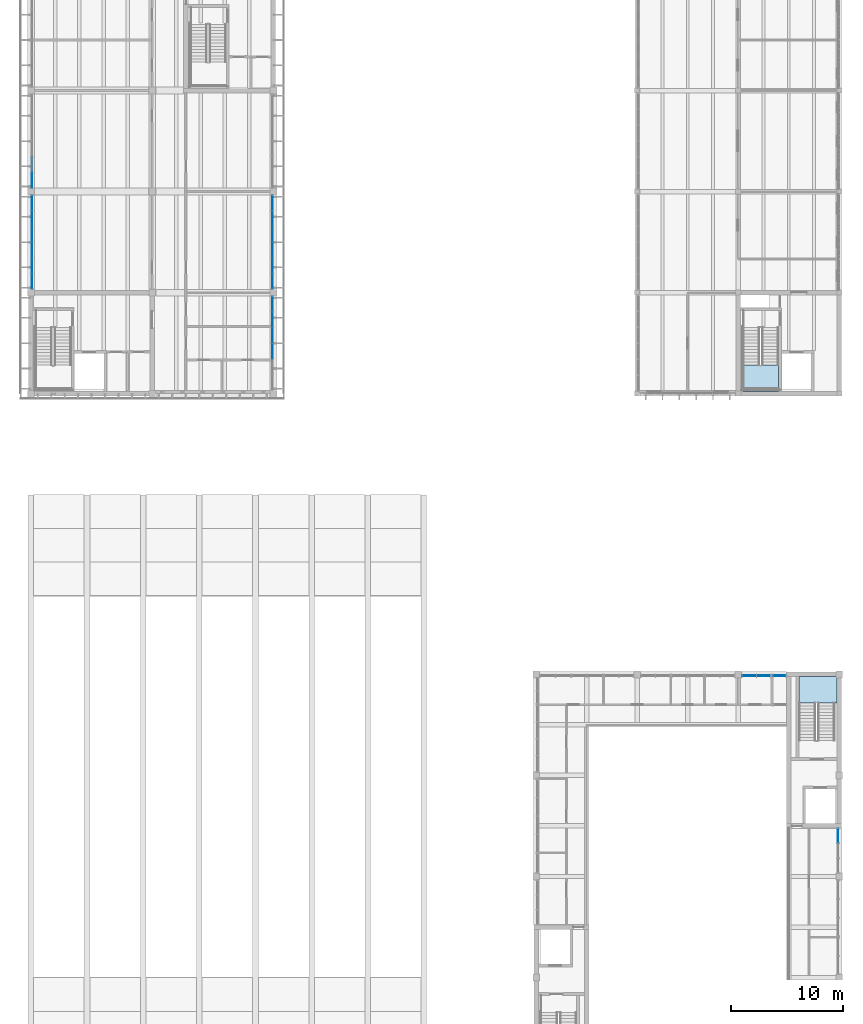
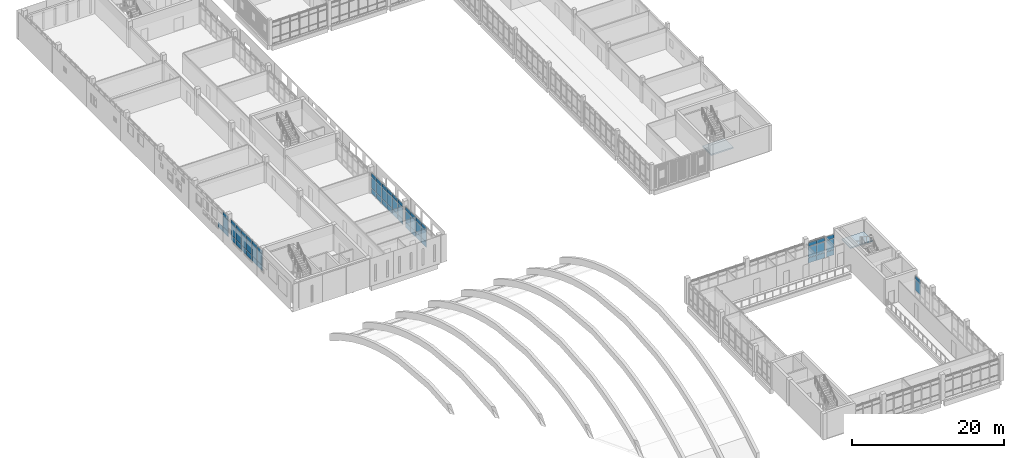
# One storey, part 40 of 88: 63 plates, 2 slabs, 9 elements without a shape of their own.
"""IFC4 building model written with IfcOpenShell, lengths in metres."""

import ifcopenshell
import ifcopenshell.guid

model = None  # the IFC model being written
_history = None  # IfcOwnerHistory: only IFC2X3 demands one
_inside = {}  # id of a spatial element -> (the spatial element, [elements in it])
_under = {}  # id of a project, library or spatial element -> (it, [spatial elements below it])
_declared = {}  # id of a project -> (the project, [libraries it declares])
_typed = {}  # id of a type object -> (the type object, [elements of that type])
_made_of = {}  # id of a material, layer set ... -> (it, [elements and type objects made of it])


def new_model(schema):
    """Start an empty IFC model of exactly this schema.

    Asked for "IFC4X3", IfcOpenShell would pick the latest addendum, in which some entities
    have other attributes; the version numbers below select the first issue.
    IFC2X3 requires an IfcOwnerHistory on every rooted entity: one is made here for all.
    """
    global model, _history
    if schema == "IFC4X3":
        model = ifcopenshell.file(schema_version=(4, 3, 0, 0))
    else:
        model = ifcopenshell.file(schema=schema)
    _inside.clear()
    _under.clear()
    _declared.clear()
    _typed.clear()
    _made_of.clear()
    _history = None
    if model.schema == "IFC2X3":
        org = make("IfcOrganization", Name="unknown")
        user = make(
            "IfcPersonAndOrganization",
            ThePerson=make("IfcPerson", FamilyName="unknown"),
            TheOrganization=org,
        )
        app = make(
            "IfcApplication",
            ApplicationDeveloper=org,
            Version="unknown",
            ApplicationFullName="unknown",
            ApplicationIdentifier="unknown",
        )
        _history = make(
            "IfcOwnerHistory",
            OwningUser=user,
            OwningApplication=app,
            ChangeAction="ADDED",
            CreationDate=0,
        )
    return model


def make(cls, **values):
    """One entity of the class cls with the attributes given. An attribute that is None is left unset."""
    return model.create_entity(
        cls, **{name: value for name, value in values.items() if value is not None}
    )


def rooted(cls, **values):
    """An entity with a GlobalId (a new one), such as an element, a storey or a relation."""
    return make(cls, GlobalId=ifcopenshell.guid.new(), OwnerHistory=_history, **values)


def si_unit(unit_type, name, prefix=None):
    """IfcSIUnit, for example si_unit("LENGTHUNIT", "METRE", prefix="MILLI")."""
    return make("IfcSIUnit", UnitType=unit_type, Prefix=prefix, Name=name)


def assignment(units):
    """IfcUnitAssignment: the units of a project."""
    return None if units is None else make("IfcUnitAssignment", Units=units)


def point(xyz):
    """IfcCartesianPoint."""
    return None if xyz is None else make("IfcCartesianPoint", Coordinates=xyz)


def direction(xyz):
    """IfcDirection."""
    return None if xyz is None else make("IfcDirection", DirectionRatios=xyz)


def frame(location, z_axis=None, x_axis=None):
    """IfcAxis2Placement3D, a coordinate frame: its origin and axes. An axis left out is left unset."""
    return make(
        "IfcAxis2Placement3D",
        Location=point(location),
        Axis=direction(z_axis),
        RefDirection=direction(x_axis),
    )


def frame_2d(location, x_axis=None):
    """IfcAxis2Placement2D, a coordinate frame in the plane: its origin and x axis."""
    return make(
        "IfcAxis2Placement2D", Location=point(location), RefDirection=direction(x_axis)
    )


def origin():
    """The frame at (0, 0, 0) with its axes left unset."""
    return frame((0.0, 0.0, 0.0))


def origin_2d():
    """The frame at (0, 0) in the plane with its x axis left unset."""
    return frame_2d((0.0, 0.0))


def place(relative_to, where):
    """IfcLocalPlacement: puts the frame where relative to a parent placement (None: the world)."""
    return make(
        "IfcLocalPlacement", PlacementRelTo=relative_to, RelativePlacement=where
    )


def context(
    kind, dimensions, precision=None, world=None, true_north=None, identifier=None
):
    """IfcGeometricRepresentationContext, for example the 3D "Model" context."""
    return make(
        "IfcGeometricRepresentationContext",
        ContextIdentifier=identifier,
        ContextType=kind,
        CoordinateSpaceDimension=dimensions,
        Precision=precision,
        WorldCoordinateSystem=world,
        TrueNorth=true_north,
    )


def subcontext(parent, identifier, kind, view, scale=None):
    """IfcGeometricRepresentationSubContext, for example "Body" below "Model"."""
    return make(
        "IfcGeometricRepresentationSubContext",
        ContextIdentifier=identifier,
        ContextType=kind,
        ParentContext=parent,
        TargetScale=scale,
        TargetView=view,
    )


def project(units=None, contexts=None):
    """IfcProject with its units and contexts."""
    return rooted(
        "IfcProject",
        Name="project",
        RepresentationContexts=contexts,
        UnitsInContext=assignment(units),
    )


def spatial(cls, under=None, at=None, **own):
    """A site, building, storey or space (cls), placed at a placement, below another one or the project."""
    s = rooted(cls, ObjectPlacement=at, **own)
    if under is not None:
        _under.setdefault(under.id(), (under, []))[1].append(s)
    return s


def polyline(points):
    """IfcPolyline through the points."""
    return make("IfcPolyline", Points=[point(p) for p in points])


def profile(cls, at=None, kind="AREA", **sizes):
    """A parametric profile (cls). Its sizes go by their IFC names, for example OverallWidth=200.0."""
    return make(cls, ProfileType=kind, Position=at, **sizes)


def rectangle(**sizes):
    """IfcRectangleProfileDef."""
    return profile("IfcRectangleProfileDef", **sizes)


def outline(outer, holes=None, kind="AREA"):
    """IfcArbitraryClosedProfileDef: a profile drawn as a closed curve; with holes, ...WithVoids."""
    if holes is None:
        return make("IfcArbitraryClosedProfileDef", ProfileType=kind, OuterCurve=outer)
    return make(
        "IfcArbitraryProfileDefWithVoids",
        ProfileType=kind,
        OuterCurve=outer,
        InnerCurves=holes,
    )


def extrude(swept, where, along, depth):
    """IfcExtrudedAreaSolid: the profile swept, set in the frame where, extruded along a direction by depth."""
    return make(
        "IfcExtrudedAreaSolid",
        SweptArea=swept,
        Position=where,
        ExtrudedDirection=direction(along),
        Depth=depth,
    )


def shape(context_of_items, identifier, shape_type, items):
    """IfcShapeRepresentation: the items that make up one representation, for example the "Body"."""
    return make(
        "IfcShapeRepresentation",
        ContextOfItems=context_of_items,
        RepresentationIdentifier=identifier,
        RepresentationType=shape_type,
        Items=items,
    )


def material(Name=None, Category=None):
    """IfcMaterial."""
    return make("IfcMaterial", Name=Name, Category=Category)


def layer(
    of_material, thickness, ventilated=None, Name=None, Category=None, Priority=None
):
    """IfcMaterialLayer: one layer of a wall or slab, of a material (None: an air gap)."""
    return make(
        "IfcMaterialLayer",
        Material=of_material,
        LayerThickness=thickness,
        IsVentilated=ventilated,
        Name=Name,
        Category=Category,
        Priority=Priority,
    )


def layer_set(layers, Name=None):
    """IfcMaterialLayerSet."""
    return make("IfcMaterialLayerSet", MaterialLayers=layers, LayerSetName=Name)


def made_of(thing, what):
    """Note that an element or type object is made of a material, layer set ...; save() writes the relation."""
    if what is not None:
        _made_of.setdefault(what.id(), (what, []))[1].append(thing)
    return thing


def type_object(cls, material=None, **own):
    """A type object (cls), such as IfcWallType, which elements share."""
    return made_of(rooted(cls, **own), material)


def element(
    cls,
    number,
    at=None,
    inside=None,
    cuts=None,
    type_object=None,
    material=None,
    context=None,
    identifier="Body",
    shape_type=None,
    held_by="IfcProductDefinitionShape",
    body=None,
    shapes=None,
    **own,
):
    """One element of the class cls, such as IfcWall. Its Tag is "e" and its number.

    at: its placement. inside: the storey or other place that contains it. cuts: it is an
    opening in that element (IfcRelVoidsElement). A single representation is given by context,
    identifier, shape_type and body (its items); several are given by shapes. held_by: the class
    of the entity that holds the representations. save() writes the other relations.
    """
    e = rooted(cls, Tag="e%d" % number, ObjectPlacement=at, **own)
    if body is not None:
        shapes = [shape(context, identifier, shape_type, body)]
    if shapes is not None:
        e.Representation = make(held_by, Representations=shapes)
    if inside is not None:
        _inside.setdefault(inside.id(), (inside, []))[1].append(e)
    if cuts is not None:
        rooted(
            "IfcRelVoidsElement", RelatingBuildingElement=cuts, RelatedOpeningElement=e
        )
    if type_object is not None:
        _typed.setdefault(type_object.id(), (type_object, []))[1].append(e)
    return made_of(e, material)


def aggregate(whole, parts):
    """IfcRelAggregates: a whole, such as a stair, and the parts it consists of."""
    return rooted("IfcRelAggregates", RelatingObject=whole, RelatedObjects=parts)


def save(model, path):
    """Write the relations noted so far, then the file.

    IfcRelAggregates (storeys below a building ...), IfcRelContainedInSpatialStructure (elements
    in a storey), IfcRelDefinesByType, IfcRelAssociatesMaterial and IfcRelDeclares: one each for
    every whole, place, type object, material and project.
    """
    for whole, parts in _under.values():
        aggregate(whole, parts)
    for where, things in _inside.values():
        rooted(
            "IfcRelContainedInSpatialStructure",
            RelatedElements=things,
            RelatingStructure=where,
        )
    for kind, things in _typed.values():
        rooted("IfcRelDefinesByType", RelatedObjects=things, RelatingType=kind)
    for what, things in _made_of.values():
        rooted("IfcRelAssociatesMaterial", RelatedObjects=things, RelatingMaterial=what)
    for by, libraries in _declared.values():
        rooted("IfcRelDeclares", RelatingContext=by, RelatedDefinitions=libraries)
    model.write(path)


model = new_model("IFC4")

# Units and contexts
model_context = context("Model", 3, precision=1e-05, world=origin(), true_north=direction((0.0, 1.0)))
body_context = subcontext(model_context, "Body", "Model", "MODEL_VIEW")
ifc_project = project(units=[si_unit("LENGTHUNIT", "METRE"), si_unit("AREAUNIT", "SQUARE_METRE"), si_unit("VOLUMEUNIT", "CUBIC_METRE"), si_unit("PLANEANGLEUNIT", "RADIAN"), si_unit("MASSUNIT", "GRAM", prefix="KILO")], contexts=[model_context])

# Site, building, storey
site_placement = place(None, origin())
site = spatial("IfcSite", under=ifc_project, at=site_placement, CompositionType="ELEMENT")
building_placement = place(site_placement, origin())
building = spatial("IfcBuilding", under=site, at=building_placement, Name="Merrow Basin Faculty of Sciences", CompositionType="ELEMENT")
storey_placement = place(building_placement, frame((0.0, 0.0, 9.0)))
storey = spatial("IfcBuildingStorey", under=building, at=storey_placement, Name="L02", CompositionType="ELEMENT", Elevation=9.0)

# Curtain wall, plates
ifc_material_1 = material(Name="Aluminium alloy 6063", Category="aluminium")
curtain_wall_type_1 = type_object("IfcCurtainWallType", Name="Atrium unitised curtain wall 240", PredefinedType="NOTDEFINED", material=ifc_material_1)
curtain_wall_1_placement = place(storey_placement, origin())
curtain_wall_1 = element("IfcCurtainWall", 1, at=curtain_wall_1_placement, inside=storey, type_object=curtain_wall_type_1, Name="N curtain wall L02 6", PredefinedType="NOTDEFINED")
ifc_material_2 = material(Name="Low-E double glazing", Category="glass")
ifc_layer_1 = layer(ifc_material_2, 0.031982421875)
ifc_layer_set_1 = layer_set([ifc_layer_1], Name="Acoustic double glazed panel 32")
plate_type_1 = type_object("IfcPlateType", Name="Acoustic double glazed panel 32", PredefinedType="CURTAIN_PANEL", material=ifc_layer_set_1)
plate_1_placement = place(storey_placement, frame((63.97119140625, 35.8798828125, 0.93017578125), z_axis=(0.0, 0.0, 1.0), x_axis=(1.0, 0.0, 0.0)))
plate_1 = element("IfcPlate", 2, at=plate_1_placement, type_object=plate_type_1, Name="CW5 panel 1.2", PredefinedType="CURTAIN_PANEL", context=body_context, shape_type="SweptSolid", body=[
    extrude(rectangle(XDim=1.222412109375, YDim=0.031982421875, at=origin_2d()), origin(), (0.0, 0.0, 1.0), 1.739990234375),
])
plate_2_placement = place(storey_placement, frame((63.97119140625, 35.8798828125, 2.72998046875), z_axis=(0.0, 0.0, 1.0), x_axis=(1.0, 0.0, 0.0)))
plate_2 = element("IfcPlate", 3, at=plate_2_placement, type_object=plate_type_1, Name="CW5 panel 1.3", PredefinedType="CURTAIN_PANEL", context=body_context, shape_type="SweptSolid", body=[
    extrude(rectangle(XDim=1.222412109375, YDim=0.031982421875, at=origin_2d()), origin(), (0.0, 0.0, 1.0), 0.610107421875),
])
plate_3_placement = place(storey_placement, frame((65.253662109375, 35.8798828125, 0.93017578125), z_axis=(0.0, 0.0, 1.0), x_axis=(1.0, 0.0, 0.0)))
plate_3 = element("IfcPlate", 4, at=plate_3_placement, type_object=plate_type_1, Name="CW5 panel 2.2", PredefinedType="CURTAIN_PANEL", context=body_context, shape_type="SweptSolid", body=[
    extrude(rectangle(XDim=1.222412109375, YDim=0.031982421875, at=origin_2d()), origin(), (0.0, 0.0, 1.0), 1.739990234375),
])
plate_4_placement = place(storey_placement, frame((65.253662109375, 35.8798828125, 2.72998046875), z_axis=(0.0, 0.0, 1.0), x_axis=(1.0, 0.0, 0.0)))
plate_4 = element("IfcPlate", 5, at=plate_4_placement, type_object=plate_type_1, Name="CW5 panel 2.3", PredefinedType="CURTAIN_PANEL", context=body_context, shape_type="SweptSolid", body=[
    extrude(rectangle(XDim=1.222412109375, YDim=0.031982421875, at=origin_2d()), origin(), (0.0, 0.0, 1.0), 0.610107421875),
])

curtain_wall_2_placement = place(storey_placement, origin())
curtain_wall_2 = element("IfcCurtainWall", 6, at=curtain_wall_2_placement, inside=storey, type_object=curtain_wall_type_1, Name="N curtain wall L02 7", PredefinedType="NOTDEFINED")
plate_5_placement = place(storey_placement, frame((66.6875, 35.8798828125, 0.93017578125), z_axis=(0.0, 0.0, 1.0), x_axis=(1.0, 0.0, 0.0)))
plate_5 = element("IfcPlate", 7, at=plate_5_placement, type_object=plate_type_1, Name="CW5 panel 1.2", PredefinedType="CURTAIN_PANEL", context=body_context, shape_type="SweptSolid", body=[
    extrude(rectangle(XDim=1.10498046875, YDim=0.031982421875, at=origin_2d()), origin(), (0.0, 0.0, 1.0), 1.739990234375),
])
plate_6_placement = place(storey_placement, frame((66.6875, 35.8798828125, 2.72998046875), z_axis=(0.0, 0.0, 1.0), x_axis=(1.0, 0.0, 0.0)))
plate_6 = element("IfcPlate", 8, at=plate_6_placement, type_object=plate_type_1, Name="CW5 panel 1.3", PredefinedType="CURTAIN_PANEL", context=body_context, shape_type="SweptSolid", body=[
    extrude(rectangle(XDim=1.10498046875, YDim=0.031982421875, at=origin_2d()), origin(), (0.0, 0.0, 1.0), 0.610107421875),
])

curtain_wall_3_placement = place(storey_placement, origin())
curtain_wall_3 = element("IfcCurtainWall", 9, at=curtain_wall_3_placement, inside=storey, type_object=curtain_wall_type_1, Name="E curtain wall L02 5", PredefinedType="NOTDEFINED")
plate_7_placement = place(storey_placement, frame((71.8798828125, 21.618408203125, 0.93017578125), z_axis=(0.0, 0.0, 1.0), x_axis=(0.0, 1.0, 0.0)))
plate_7 = element("IfcPlate", 10, at=plate_7_placement, type_object=plate_type_1, Name="CW5 panel 3.2", PredefinedType="CURTAIN_PANEL", context=body_context, shape_type="SweptSolid", body=[
    extrude(rectangle(XDim=1.243408203125, YDim=0.031982421875, at=origin_2d()), origin(), (0.0, 0.0, 1.0), 1.739990234375),
])
plate_8_placement = place(storey_placement, frame((71.8798828125, 21.618408203125, 2.72998046875), z_axis=(0.0, 0.0, 1.0), x_axis=(0.0, 1.0, 0.0)))
plate_8 = element("IfcPlate", 11, at=plate_8_placement, type_object=plate_type_1, Name="CW5 panel 3.3", PredefinedType="CURTAIN_PANEL", context=body_context, shape_type="SweptSolid", body=[
    extrude(rectangle(XDim=1.243408203125, YDim=0.031982421875, at=origin_2d()), origin(), (0.0, 0.0, 1.0), 0.610107421875),
])
aggregate(curtain_wall_3, [plate_7, plate_8])

ifc_material_3 = material(Name="Aluminium alloy 6063", Category="aluminium")
curtain_wall_type_2 = type_object("IfcCurtainWallType", Name="Bar unitised curtain wall 180", PredefinedType="NOTDEFINED", material=ifc_material_3)
curtain_wall_4_placement = place(storey_placement, origin())
curtain_wall_4 = element("IfcCurtainWall", 12, at=curtain_wall_4_placement, inside=storey, type_object=curtain_wall_type_2, Name="West curtain wall L02 1", PredefinedType="NOTDEFINED")
ifc_material_4 = material(Name="Insulated aluminium spandrel panel", Category="aluminium")
ifc_layer_2 = layer(ifc_material_4, 0.052001953125)
ifc_layer_set_2 = layer_set([ifc_layer_2], Name="Insulated spandrel panel 52")
plate_type_2 = type_object("IfcPlateType", Name="Insulated spandrel panel 52", PredefinedType="CURTAIN_PANEL", material=ifc_layer_set_2)
plate_9_placement = place(storey_placement, frame((0.090087890625, 71.014892578125, 0.06005859375), z_axis=(0.0, 0.0, 1.0), x_axis=(0.0, 1.0, 0.0)))
plate_9 = element("IfcPlate", 13, at=plate_9_placement, type_object=plate_type_2, Name="CW1 panel 1.1", PredefinedType="CURTAIN_PANEL", context=body_context, shape_type="SweptSolid", body=[
    extrude(rectangle(XDim=1.31005859375, YDim=0.052001953125, at=origin_2d()), origin(), (0.0, 0.0, 1.0), 0.81005859375),
])
plate_10_placement = place(storey_placement, frame((0.090087890625, 72.39990234375, 0.06005859375), z_axis=(0.0, 0.0, 1.0), x_axis=(0.0, 1.0, 0.0)))
plate_10 = element("IfcPlate", 14, at=plate_10_placement, type_object=plate_type_2, Name="CW1 panel 2.1", PredefinedType="CURTAIN_PANEL", context=body_context, shape_type="SweptSolid", body=[
    extrude(rectangle(XDim=1.340087890625, YDim=0.052001953125, at=origin_2d()), origin(), (0.0, 0.0, 1.0), 0.81005859375),
])
plate_11_placement = place(storey_placement, frame((0.090087890625, 73.800048828125, 0.06005859375), z_axis=(0.0, 0.0, 1.0), x_axis=(0.0, 1.0, 0.0)))
plate_11 = element("IfcPlate", 15, at=plate_11_placement, type_object=plate_type_2, Name="CW1 panel 3.1", PredefinedType="CURTAIN_PANEL", context=body_context, shape_type="SweptSolid", body=[
    extrude(rectangle(XDim=1.340087890625, YDim=0.052001953125, at=origin_2d()), origin(), (0.0, 0.0, 1.0), 0.81005859375),
])
plate_12_placement = place(storey_placement, frame((0.090087890625, 75.199951171875, 0.06005859375), z_axis=(0.0, 0.0, 1.0), x_axis=(0.0, 1.0, 0.0)))
plate_12 = element("IfcPlate", 16, at=plate_12_placement, type_object=plate_type_2, Name="CW1 panel 4.1", PredefinedType="CURTAIN_PANEL", context=body_context, shape_type="SweptSolid", body=[
    extrude(rectangle(XDim=1.340087890625, YDim=0.052001953125, at=origin_2d()), origin(), (0.0, 0.0, 1.0), 0.81005859375),
])
plate_13_placement = place(storey_placement, frame((0.090087890625, 76.60009765625, 0.06005859375), z_axis=(0.0, 0.0, 1.0), x_axis=(0.0, 1.0, 0.0)))
plate_13 = element("IfcPlate", 17, at=plate_13_placement, type_object=plate_type_2, Name="CW1 panel 5.1", PredefinedType="CURTAIN_PANEL", context=body_context, shape_type="SweptSolid", body=[
    extrude(rectangle(XDim=1.340087890625, YDim=0.052001953125, at=origin_2d()), origin(), (0.0, 0.0, 1.0), 0.81005859375),
])
plate_14_placement = place(storey_placement, frame((0.090087890625, 77.985107421875, 0.06005859375), z_axis=(0.0, 0.0, 1.0), x_axis=(0.0, 1.0, 0.0)))
plate_14 = element("IfcPlate", 18, at=plate_14_placement, type_object=plate_type_2, Name="CW1 panel 6.1", PredefinedType="CURTAIN_PANEL", context=body_context, shape_type="SweptSolid", body=[
    extrude(rectangle(XDim=1.31005859375, YDim=0.052001953125, at=origin_2d()), origin(), (0.0, 0.0, 1.0), 0.81005859375),
])

curtain_wall_5_placement = place(storey_placement, origin())
curtain_wall_5 = element("IfcCurtainWall", 19, at=curtain_wall_5_placement, inside=storey, type_object=curtain_wall_type_2, Name="West curtain wall L02 2", PredefinedType="NOTDEFINED")
plate_15_placement = place(storey_placement, frame((0.090087890625, 80.014892578125, 0.06005859375), z_axis=(0.0, 0.0, 1.0), x_axis=(0.0, 1.0, 0.0)))
plate_15 = element("IfcPlate", 20, at=plate_15_placement, type_object=plate_type_2, Name="CW1 panel 1.1", PredefinedType="CURTAIN_PANEL", context=body_context, shape_type="SweptSolid", body=[
    extrude(rectangle(XDim=1.31005859375, YDim=0.052001953125, at=origin_2d()), origin(), (0.0, 0.0, 1.0), 0.81005859375),
])
plate_16_placement = place(storey_placement, frame((0.090087890625, 81.39990234375, 0.06005859375), z_axis=(0.0, 0.0, 1.0), x_axis=(0.0, 1.0, 0.0)))
plate_16 = element("IfcPlate", 21, at=plate_16_placement, type_object=plate_type_2, Name="CW1 panel 2.1", PredefinedType="CURTAIN_PANEL", context=body_context, shape_type="SweptSolid", body=[
    extrude(rectangle(XDim=1.340087890625, YDim=0.052001953125, at=origin_2d()), origin(), (0.0, 0.0, 1.0), 0.81005859375),
])

curtain_wall_6_placement = place(storey_placement, origin())
curtain_wall_6 = element("IfcCurtainWall", 22, at=curtain_wall_6_placement, inside=storey, type_object=curtain_wall_type_2, Name="East curtain wall L02 1", PredefinedType="NOTDEFINED")
plate_17_placement = place(storey_placement, frame((21.510009765625, 64.800048828125, 0.06005859375), z_axis=(0.0, 0.0, 1.0), x_axis=(0.0, 1.0, 0.0)))
plate_17 = element("IfcPlate", 23, at=plate_17_placement, type_object=plate_type_2, Name="CW1 panel 3.1", PredefinedType="CURTAIN_PANEL", context=body_context, shape_type="SweptSolid", body=[
    extrude(rectangle(XDim=1.340087890625, YDim=0.052001953125, at=origin_2d()), origin(), (0.0, 0.0, 1.0), 0.81005859375),
])
plate_18_placement = place(storey_placement, frame((21.510009765625, 66.199951171875, 0.06005859375), z_axis=(0.0, 0.0, 1.0), x_axis=(0.0, 1.0, 0.0)))
plate_18 = element("IfcPlate", 24, at=plate_18_placement, type_object=plate_type_2, Name="CW1 panel 4.1", PredefinedType="CURTAIN_PANEL", context=body_context, shape_type="SweptSolid", body=[
    extrude(rectangle(XDim=1.340087890625, YDim=0.052001953125, at=origin_2d()), origin(), (0.0, 0.0, 1.0), 0.81005859375),
])
plate_19_placement = place(storey_placement, frame((21.510009765625, 67.60009765625, 0.06005859375), z_axis=(0.0, 0.0, 1.0), x_axis=(0.0, 1.0, 0.0)))
plate_19 = element("IfcPlate", 25, at=plate_19_placement, type_object=plate_type_2, Name="CW1 panel 5.1", PredefinedType="CURTAIN_PANEL", context=body_context, shape_type="SweptSolid", body=[
    extrude(rectangle(XDim=1.340087890625, YDim=0.052001953125, at=origin_2d()), origin(), (0.0, 0.0, 1.0), 0.81005859375),
])
plate_20_placement = place(storey_placement, frame((21.510009765625, 68.985107421875, 0.06005859375), z_axis=(0.0, 0.0, 1.0), x_axis=(0.0, 1.0, 0.0)))
plate_20 = element("IfcPlate", 26, at=plate_20_placement, type_object=plate_type_2, Name="CW1 panel 6.1", PredefinedType="CURTAIN_PANEL", context=body_context, shape_type="SweptSolid", body=[
    extrude(rectangle(XDim=1.31005859375, YDim=0.052001953125, at=origin_2d()), origin(), (0.0, 0.0, 1.0), 0.81005859375),
])

curtain_wall_7_placement = place(storey_placement, origin())
curtain_wall_7 = element("IfcCurtainWall", 27, at=curtain_wall_7_placement, inside=storey, type_object=curtain_wall_type_2, Name="East curtain wall L02 2", PredefinedType="NOTDEFINED")
plate_21_placement = place(storey_placement, frame((21.510009765625, 71.014892578125, 0.06005859375), z_axis=(0.0, 0.0, 1.0), x_axis=(0.0, 1.0, 0.0)))
plate_21 = element("IfcPlate", 28, at=plate_21_placement, type_object=plate_type_2, Name="CW1 panel 1.1", PredefinedType="CURTAIN_PANEL", context=body_context, shape_type="SweptSolid", body=[
    extrude(rectangle(XDim=1.31005859375, YDim=0.052001953125, at=origin_2d()), origin(), (0.0, 0.0, 1.0), 0.81005859375),
])
plate_22_placement = place(storey_placement, frame((21.510009765625, 72.39990234375, 0.06005859375), z_axis=(0.0, 0.0, 1.0), x_axis=(0.0, 1.0, 0.0)))
plate_22 = element("IfcPlate", 29, at=plate_22_placement, type_object=plate_type_2, Name="CW1 panel 2.1", PredefinedType="CURTAIN_PANEL", context=body_context, shape_type="SweptSolid", body=[
    extrude(rectangle(XDim=1.340087890625, YDim=0.052001953125, at=origin_2d()), origin(), (0.0, 0.0, 1.0), 0.81005859375),
])
plate_23_placement = place(storey_placement, frame((21.510009765625, 73.800048828125, 0.06005859375), z_axis=(0.0, 0.0, 1.0), x_axis=(0.0, 1.0, 0.0)))
plate_23 = element("IfcPlate", 30, at=plate_23_placement, type_object=plate_type_2, Name="CW1 panel 3.1", PredefinedType="CURTAIN_PANEL", context=body_context, shape_type="SweptSolid", body=[
    extrude(rectangle(XDim=1.340087890625, YDim=0.052001953125, at=origin_2d()), origin(), (0.0, 0.0, 1.0), 0.81005859375),
])
plate_24_placement = place(storey_placement, frame((21.510009765625, 75.199951171875, 0.06005859375), z_axis=(0.0, 0.0, 1.0), x_axis=(0.0, 1.0, 0.0)))
plate_24 = element("IfcPlate", 31, at=plate_24_placement, type_object=plate_type_2, Name="CW1 panel 4.1", PredefinedType="CURTAIN_PANEL", context=body_context, shape_type="SweptSolid", body=[
    extrude(rectangle(XDim=1.340087890625, YDim=0.052001953125, at=origin_2d()), origin(), (0.0, 0.0, 1.0), 0.81005859375),
])
plate_25_placement = place(storey_placement, frame((21.510009765625, 76.60009765625, 0.06005859375), z_axis=(0.0, 0.0, 1.0), x_axis=(0.0, 1.0, 0.0)))
plate_25 = element("IfcPlate", 32, at=plate_25_placement, type_object=plate_type_2, Name="CW1 panel 5.1", PredefinedType="CURTAIN_PANEL", context=body_context, shape_type="SweptSolid", body=[
    extrude(rectangle(XDim=1.340087890625, YDim=0.052001953125, at=origin_2d()), origin(), (0.0, 0.0, 1.0), 0.81005859375),
])
plate_26_placement = place(storey_placement, frame((21.510009765625, 77.985107421875, 0.06005859375), z_axis=(0.0, 0.0, 1.0), x_axis=(0.0, 1.0, 0.0)))
plate_26 = element("IfcPlate", 33, at=plate_26_placement, type_object=plate_type_2, Name="CW1 panel 6.1", PredefinedType="CURTAIN_PANEL", context=body_context, shape_type="SweptSolid", body=[
    extrude(rectangle(XDim=1.31005859375, YDim=0.052001953125, at=origin_2d()), origin(), (0.0, 0.0, 1.0), 0.81005859375),
])

# Plate
plate_27_placement = place(storey_placement, frame((63.97119140625, 35.8798828125, 0.06005859375), z_axis=(0.0, 0.0, 1.0), x_axis=(1.0, 0.0, 0.0)))
plate_27 = element("IfcPlate", 34, at=plate_27_placement, type_object=plate_type_2, Name="CW5 panel 1.1", PredefinedType="CURTAIN_PANEL", context=body_context, shape_type="SweptSolid", body=[
    extrude(rectangle(XDim=1.222412109375, YDim=0.052001953125, at=origin_2d()), origin(), (0.0, 0.0, 1.0), 0.81005859375),
])

plate_28_placement = place(storey_placement, frame((65.253662109375, 35.8798828125, 0.06005859375), z_axis=(0.0, 0.0, 1.0), x_axis=(1.0, 0.0, 0.0)))
plate_28 = element("IfcPlate", 35, at=plate_28_placement, type_object=plate_type_2, Name="CW5 panel 2.1", PredefinedType="CURTAIN_PANEL", context=body_context, shape_type="SweptSolid", body=[
    extrude(rectangle(XDim=1.222412109375, YDim=0.052001953125, at=origin_2d()), origin(), (0.0, 0.0, 1.0), 0.81005859375),
])

aggregate(curtain_wall_1, [plate_27, plate_1, plate_2, plate_28, plate_3, plate_4])

plate_29_placement = place(storey_placement, frame((66.6875, 35.8798828125, 0.06005859375), z_axis=(0.0, 0.0, 1.0), x_axis=(1.0, 0.0, 0.0)))
plate_29 = element("IfcPlate", 36, at=plate_29_placement, type_object=plate_type_2, Name="CW5 panel 1.1", PredefinedType="CURTAIN_PANEL", context=body_context, shape_type="SweptSolid", body=[
    extrude(rectangle(XDim=1.10498046875, YDim=0.052001953125, at=origin_2d()), origin(), (0.0, 0.0, 1.0), 0.81005859375),
])

aggregate(curtain_wall_2, [plate_29, plate_5, plate_6])

ifc_material_5 = material(Name="Low-E double glazing", Category="glass")
ifc_layer_3 = layer(ifc_material_5, 0.028076171875)
ifc_layer_set_3 = layer_set([ifc_layer_3], Name="Low-E double glazed panel 28")
plate_type_3 = type_object("IfcPlateType", Name="Low-E double glazed panel 28", PredefinedType="CURTAIN_PANEL", material=ifc_layer_set_3)
plate_30_placement = place(storey_placement, frame((0.090087890625, 71.014892578125, 0.93017578125), z_axis=(0.0, 0.0, 1.0), x_axis=(0.0, 1.0, 0.0)))
plate_30 = element("IfcPlate", 37, at=plate_30_placement, type_object=plate_type_3, Name="CW1 panel 1.2", PredefinedType="CURTAIN_PANEL", context=body_context, shape_type="SweptSolid", body=[
    extrude(rectangle(XDim=1.31005859375, YDim=0.028076171875, at=origin_2d()), origin(), (0.0, 0.0, 1.0), 1.739990234375),
])

plate_31_placement = place(storey_placement, frame((0.090087890625, 71.014892578125, 2.72998046875), z_axis=(0.0, 0.0, 1.0), x_axis=(0.0, 1.0, 0.0)))
plate_31 = element("IfcPlate", 38, at=plate_31_placement, type_object=plate_type_3, Name="CW1 panel 1.3", PredefinedType="CURTAIN_PANEL", context=body_context, shape_type="SweptSolid", body=[
    extrude(rectangle(XDim=1.31005859375, YDim=0.028076171875, at=origin_2d()), origin(), (0.0, 0.0, 1.0), 0.610107421875),
])

plate_32_placement = place(storey_placement, frame((0.090087890625, 72.39990234375, 0.93017578125), z_axis=(0.0, 0.0, 1.0), x_axis=(0.0, 1.0, 0.0)))
plate_32 = element("IfcPlate", 39, at=plate_32_placement, type_object=plate_type_3, Name="CW1 panel 2.2", PredefinedType="CURTAIN_PANEL", context=body_context, shape_type="SweptSolid", body=[
    extrude(rectangle(XDim=1.340087890625, YDim=0.028076171875, at=origin_2d()), origin(), (0.0, 0.0, 1.0), 1.739990234375),
])

plate_33_placement = place(storey_placement, frame((0.090087890625, 72.39990234375, 2.72998046875), z_axis=(0.0, 0.0, 1.0), x_axis=(0.0, 1.0, 0.0)))
plate_33 = element("IfcPlate", 40, at=plate_33_placement, type_object=plate_type_3, Name="CW1 panel 2.3", PredefinedType="CURTAIN_PANEL", context=body_context, shape_type="SweptSolid", body=[
    extrude(rectangle(XDim=1.340087890625, YDim=0.028076171875, at=origin_2d()), origin(), (0.0, 0.0, 1.0), 0.610107421875),
])

plate_34_placement = place(storey_placement, frame((0.090087890625, 73.800048828125, 0.93017578125), z_axis=(0.0, 0.0, 1.0), x_axis=(0.0, 1.0, 0.0)))
plate_34 = element("IfcPlate", 41, at=plate_34_placement, type_object=plate_type_3, Name="CW1 panel 3.2", PredefinedType="CURTAIN_PANEL", context=body_context, shape_type="SweptSolid", body=[
    extrude(rectangle(XDim=1.340087890625, YDim=0.028076171875, at=origin_2d()), origin(), (0.0, 0.0, 1.0), 1.739990234375),
])

plate_35_placement = place(storey_placement, frame((0.090087890625, 73.800048828125, 2.72998046875), z_axis=(0.0, 0.0, 1.0), x_axis=(0.0, 1.0, 0.0)))
plate_35 = element("IfcPlate", 42, at=plate_35_placement, type_object=plate_type_3, Name="CW1 panel 3.3", PredefinedType="CURTAIN_PANEL", context=body_context, shape_type="SweptSolid", body=[
    extrude(rectangle(XDim=1.340087890625, YDim=0.028076171875, at=origin_2d()), origin(), (0.0, 0.0, 1.0), 0.610107421875),
])

plate_36_placement = place(storey_placement, frame((0.090087890625, 75.199951171875, 0.93017578125), z_axis=(0.0, 0.0, 1.0), x_axis=(0.0, 1.0, 0.0)))
plate_36 = element("IfcPlate", 43, at=plate_36_placement, type_object=plate_type_3, Name="CW1 panel 4.2", PredefinedType="CURTAIN_PANEL", context=body_context, shape_type="SweptSolid", body=[
    extrude(rectangle(XDim=1.340087890625, YDim=0.028076171875, at=origin_2d()), origin(), (0.0, 0.0, 1.0), 1.739990234375),
])

plate_37_placement = place(storey_placement, frame((0.090087890625, 75.199951171875, 2.72998046875), z_axis=(0.0, 0.0, 1.0), x_axis=(0.0, 1.0, 0.0)))
plate_37 = element("IfcPlate", 44, at=plate_37_placement, type_object=plate_type_3, Name="CW1 panel 4.3", PredefinedType="CURTAIN_PANEL", context=body_context, shape_type="SweptSolid", body=[
    extrude(rectangle(XDim=1.340087890625, YDim=0.028076171875, at=origin_2d()), origin(), (0.0, 0.0, 1.0), 0.610107421875),
])

plate_38_placement = place(storey_placement, frame((0.090087890625, 76.60009765625, 0.93017578125), z_axis=(0.0, 0.0, 1.0), x_axis=(0.0, 1.0, 0.0)))
plate_38 = element("IfcPlate", 45, at=plate_38_placement, type_object=plate_type_3, Name="CW1 panel 5.2", PredefinedType="CURTAIN_PANEL", context=body_context, shape_type="SweptSolid", body=[
    extrude(rectangle(XDim=1.340087890625, YDim=0.028076171875, at=origin_2d()), origin(), (0.0, 0.0, 1.0), 1.739990234375),
])

plate_39_placement = place(storey_placement, frame((0.090087890625, 76.60009765625, 2.72998046875), z_axis=(0.0, 0.0, 1.0), x_axis=(0.0, 1.0, 0.0)))
plate_39 = element("IfcPlate", 46, at=plate_39_placement, type_object=plate_type_3, Name="CW1 panel 5.3", PredefinedType="CURTAIN_PANEL", context=body_context, shape_type="SweptSolid", body=[
    extrude(rectangle(XDim=1.340087890625, YDim=0.028076171875, at=origin_2d()), origin(), (0.0, 0.0, 1.0), 0.610107421875),
])

plate_40_placement = place(storey_placement, frame((0.090087890625, 77.985107421875, 0.93017578125), z_axis=(0.0, 0.0, 1.0), x_axis=(0.0, 1.0, 0.0)))
plate_40 = element("IfcPlate", 47, at=plate_40_placement, type_object=plate_type_3, Name="CW1 panel 6.2", PredefinedType="CURTAIN_PANEL", context=body_context, shape_type="SweptSolid", body=[
    extrude(rectangle(XDim=1.31005859375, YDim=0.028076171875, at=origin_2d()), origin(), (0.0, 0.0, 1.0), 1.739990234375),
])

plate_41_placement = place(storey_placement, frame((0.090087890625, 77.985107421875, 2.72998046875), z_axis=(0.0, 0.0, 1.0), x_axis=(0.0, 1.0, 0.0)))
plate_41 = element("IfcPlate", 48, at=plate_41_placement, type_object=plate_type_3, Name="CW1 panel 6.3", PredefinedType="CURTAIN_PANEL", context=body_context, shape_type="SweptSolid", body=[
    extrude(rectangle(XDim=1.31005859375, YDim=0.028076171875, at=origin_2d()), origin(), (0.0, 0.0, 1.0), 0.610107421875),
])

aggregate(curtain_wall_4, [plate_9, plate_30, plate_31, plate_10, plate_32, plate_33, plate_11, plate_34, plate_35, plate_12, plate_36, plate_37, plate_13, plate_38, plate_39, plate_14, plate_40, plate_41])

plate_42_placement = place(storey_placement, frame((0.090087890625, 80.014892578125, 0.93017578125), z_axis=(0.0, 0.0, 1.0), x_axis=(0.0, 1.0, 0.0)))
plate_42 = element("IfcPlate", 49, at=plate_42_placement, type_object=plate_type_3, Name="CW1 panel 1.2", PredefinedType="CURTAIN_PANEL", context=body_context, shape_type="SweptSolid", body=[
    extrude(rectangle(XDim=1.31005859375, YDim=0.028076171875, at=origin_2d()), origin(), (0.0, 0.0, 1.0), 1.739990234375),
])

plate_43_placement = place(storey_placement, frame((0.090087890625, 80.014892578125, 2.72998046875), z_axis=(0.0, 0.0, 1.0), x_axis=(0.0, 1.0, 0.0)))
plate_43 = element("IfcPlate", 50, at=plate_43_placement, type_object=plate_type_3, Name="CW1 panel 1.3", PredefinedType="CURTAIN_PANEL", context=body_context, shape_type="SweptSolid", body=[
    extrude(rectangle(XDim=1.31005859375, YDim=0.028076171875, at=origin_2d()), origin(), (0.0, 0.0, 1.0), 0.610107421875),
])

aggregate(curtain_wall_5, [plate_15, plate_42, plate_43, plate_16])

plate_44_placement = place(storey_placement, frame((21.510009765625, 64.800048828125, 0.93017578125), z_axis=(0.0, 0.0, 1.0), x_axis=(0.0, 1.0, 0.0)))
plate_44 = element("IfcPlate", 51, at=plate_44_placement, type_object=plate_type_3, Name="CW1 panel 3.2", PredefinedType="CURTAIN_PANEL", context=body_context, shape_type="SweptSolid", body=[
    extrude(rectangle(XDim=1.340087890625, YDim=0.028076171875, at=origin_2d()), origin(), (0.0, 0.0, 1.0), 1.739990234375),
])

plate_45_placement = place(storey_placement, frame((21.510009765625, 64.800048828125, 2.72998046875), z_axis=(0.0, 0.0, 1.0), x_axis=(0.0, 1.0, 0.0)))
plate_45 = element("IfcPlate", 52, at=plate_45_placement, type_object=plate_type_3, Name="CW1 panel 3.3", PredefinedType="CURTAIN_PANEL", context=body_context, shape_type="SweptSolid", body=[
    extrude(rectangle(XDim=1.340087890625, YDim=0.028076171875, at=origin_2d()), origin(), (0.0, 0.0, 1.0), 0.610107421875),
])

plate_46_placement = place(storey_placement, frame((21.510009765625, 66.199951171875, 0.93017578125), z_axis=(0.0, 0.0, 1.0), x_axis=(0.0, 1.0, 0.0)))
plate_46 = element("IfcPlate", 53, at=plate_46_placement, type_object=plate_type_3, Name="CW1 panel 4.2", PredefinedType="CURTAIN_PANEL", context=body_context, shape_type="SweptSolid", body=[
    extrude(rectangle(XDim=1.340087890625, YDim=0.028076171875, at=origin_2d()), origin(), (0.0, 0.0, 1.0), 1.739990234375),
])

plate_47_placement = place(storey_placement, frame((21.510009765625, 66.199951171875, 2.72998046875), z_axis=(0.0, 0.0, 1.0), x_axis=(0.0, 1.0, 0.0)))
plate_47 = element("IfcPlate", 54, at=plate_47_placement, type_object=plate_type_3, Name="CW1 panel 4.3", PredefinedType="CURTAIN_PANEL", context=body_context, shape_type="SweptSolid", body=[
    extrude(rectangle(XDim=1.340087890625, YDim=0.028076171875, at=origin_2d()), origin(), (0.0, 0.0, 1.0), 0.610107421875),
])

plate_48_placement = place(storey_placement, frame((21.510009765625, 67.60009765625, 0.93017578125), z_axis=(0.0, 0.0, 1.0), x_axis=(0.0, 1.0, 0.0)))
plate_48 = element("IfcPlate", 55, at=plate_48_placement, type_object=plate_type_3, Name="CW1 panel 5.2", PredefinedType="CURTAIN_PANEL", context=body_context, shape_type="SweptSolid", body=[
    extrude(rectangle(XDim=1.340087890625, YDim=0.028076171875, at=origin_2d()), origin(), (0.0, 0.0, 1.0), 1.739990234375),
])

plate_49_placement = place(storey_placement, frame((21.510009765625, 67.60009765625, 2.72998046875), z_axis=(0.0, 0.0, 1.0), x_axis=(0.0, 1.0, 0.0)))
plate_49 = element("IfcPlate", 56, at=plate_49_placement, type_object=plate_type_3, Name="CW1 panel 5.3", PredefinedType="CURTAIN_PANEL", context=body_context, shape_type="SweptSolid", body=[
    extrude(rectangle(XDim=1.340087890625, YDim=0.028076171875, at=origin_2d()), origin(), (0.0, 0.0, 1.0), 0.610107421875),
])

plate_50_placement = place(storey_placement, frame((21.510009765625, 68.985107421875, 0.93017578125), z_axis=(0.0, 0.0, 1.0), x_axis=(0.0, 1.0, 0.0)))
plate_50 = element("IfcPlate", 57, at=plate_50_placement, type_object=plate_type_3, Name="CW1 panel 6.2", PredefinedType="CURTAIN_PANEL", context=body_context, shape_type="SweptSolid", body=[
    extrude(rectangle(XDim=1.31005859375, YDim=0.028076171875, at=origin_2d()), origin(), (0.0, 0.0, 1.0), 1.739990234375),
])

plate_51_placement = place(storey_placement, frame((21.510009765625, 68.985107421875, 2.72998046875), z_axis=(0.0, 0.0, 1.0), x_axis=(0.0, 1.0, 0.0)))
plate_51 = element("IfcPlate", 58, at=plate_51_placement, type_object=plate_type_3, Name="CW1 panel 6.3", PredefinedType="CURTAIN_PANEL", context=body_context, shape_type="SweptSolid", body=[
    extrude(rectangle(XDim=1.31005859375, YDim=0.028076171875, at=origin_2d()), origin(), (0.0, 0.0, 1.0), 0.610107421875),
])

aggregate(curtain_wall_6, [plate_17, plate_44, plate_45, plate_18, plate_46, plate_47, plate_19, plate_48, plate_49, plate_20, plate_50, plate_51])

plate_52_placement = place(storey_placement, frame((21.510009765625, 71.014892578125, 0.93017578125), z_axis=(0.0, 0.0, 1.0), x_axis=(0.0, 1.0, 0.0)))
plate_52 = element("IfcPlate", 59, at=plate_52_placement, type_object=plate_type_3, Name="CW1 panel 1.2", PredefinedType="CURTAIN_PANEL", context=body_context, shape_type="SweptSolid", body=[
    extrude(rectangle(XDim=1.31005859375, YDim=0.028076171875, at=origin_2d()), origin(), (0.0, 0.0, 1.0), 1.739990234375),
])

plate_53_placement = place(storey_placement, frame((21.510009765625, 71.014892578125, 2.72998046875), z_axis=(0.0, 0.0, 1.0), x_axis=(0.0, 1.0, 0.0)))
plate_53 = element("IfcPlate", 60, at=plate_53_placement, type_object=plate_type_3, Name="CW1 panel 1.3", PredefinedType="CURTAIN_PANEL", context=body_context, shape_type="SweptSolid", body=[
    extrude(rectangle(XDim=1.31005859375, YDim=0.028076171875, at=origin_2d()), origin(), (0.0, 0.0, 1.0), 0.610107421875),
])

plate_54_placement = place(storey_placement, frame((21.510009765625, 72.39990234375, 0.93017578125), z_axis=(0.0, 0.0, 1.0), x_axis=(0.0, 1.0, 0.0)))
plate_54 = element("IfcPlate", 61, at=plate_54_placement, type_object=plate_type_3, Name="CW1 panel 2.2", PredefinedType="CURTAIN_PANEL", context=body_context, shape_type="SweptSolid", body=[
    extrude(rectangle(XDim=1.340087890625, YDim=0.028076171875, at=origin_2d()), origin(), (0.0, 0.0, 1.0), 1.739990234375),
])

plate_55_placement = place(storey_placement, frame((21.510009765625, 72.39990234375, 2.72998046875), z_axis=(0.0, 0.0, 1.0), x_axis=(0.0, 1.0, 0.0)))
plate_55 = element("IfcPlate", 62, at=plate_55_placement, type_object=plate_type_3, Name="CW1 panel 2.3", PredefinedType="CURTAIN_PANEL", context=body_context, shape_type="SweptSolid", body=[
    extrude(rectangle(XDim=1.340087890625, YDim=0.028076171875, at=origin_2d()), origin(), (0.0, 0.0, 1.0), 0.610107421875),
])

plate_56_placement = place(storey_placement, frame((21.510009765625, 73.800048828125, 0.93017578125), z_axis=(0.0, 0.0, 1.0), x_axis=(0.0, 1.0, 0.0)))
plate_56 = element("IfcPlate", 63, at=plate_56_placement, type_object=plate_type_3, Name="CW1 panel 3.2", PredefinedType="CURTAIN_PANEL", context=body_context, shape_type="SweptSolid", body=[
    extrude(rectangle(XDim=1.340087890625, YDim=0.028076171875, at=origin_2d()), origin(), (0.0, 0.0, 1.0), 1.739990234375),
])

plate_57_placement = place(storey_placement, frame((21.510009765625, 73.800048828125, 2.72998046875), z_axis=(0.0, 0.0, 1.0), x_axis=(0.0, 1.0, 0.0)))
plate_57 = element("IfcPlate", 64, at=plate_57_placement, type_object=plate_type_3, Name="CW1 panel 3.3", PredefinedType="CURTAIN_PANEL", context=body_context, shape_type="SweptSolid", body=[
    extrude(rectangle(XDim=1.340087890625, YDim=0.028076171875, at=origin_2d()), origin(), (0.0, 0.0, 1.0), 0.610107421875),
])

plate_58_placement = place(storey_placement, frame((21.510009765625, 75.199951171875, 0.93017578125), z_axis=(0.0, 0.0, 1.0), x_axis=(0.0, 1.0, 0.0)))
plate_58 = element("IfcPlate", 65, at=plate_58_placement, type_object=plate_type_3, Name="CW1 panel 4.2", PredefinedType="CURTAIN_PANEL", context=body_context, shape_type="SweptSolid", body=[
    extrude(rectangle(XDim=1.340087890625, YDim=0.028076171875, at=origin_2d()), origin(), (0.0, 0.0, 1.0), 1.739990234375),
])

plate_59_placement = place(storey_placement, frame((21.510009765625, 75.199951171875, 2.72998046875), z_axis=(0.0, 0.0, 1.0), x_axis=(0.0, 1.0, 0.0)))
plate_59 = element("IfcPlate", 66, at=plate_59_placement, type_object=plate_type_3, Name="CW1 panel 4.3", PredefinedType="CURTAIN_PANEL", context=body_context, shape_type="SweptSolid", body=[
    extrude(rectangle(XDim=1.340087890625, YDim=0.028076171875, at=origin_2d()), origin(), (0.0, 0.0, 1.0), 0.610107421875),
])

plate_60_placement = place(storey_placement, frame((21.510009765625, 76.60009765625, 0.93017578125), z_axis=(0.0, 0.0, 1.0), x_axis=(0.0, 1.0, 0.0)))
plate_60 = element("IfcPlate", 67, at=plate_60_placement, type_object=plate_type_3, Name="CW1 panel 5.2", PredefinedType="CURTAIN_PANEL", context=body_context, shape_type="SweptSolid", body=[
    extrude(rectangle(XDim=1.340087890625, YDim=0.028076171875, at=origin_2d()), origin(), (0.0, 0.0, 1.0), 1.739990234375),
])

plate_61_placement = place(storey_placement, frame((21.510009765625, 76.60009765625, 2.72998046875), z_axis=(0.0, 0.0, 1.0), x_axis=(0.0, 1.0, 0.0)))
plate_61 = element("IfcPlate", 68, at=plate_61_placement, type_object=plate_type_3, Name="CW1 panel 5.3", PredefinedType="CURTAIN_PANEL", context=body_context, shape_type="SweptSolid", body=[
    extrude(rectangle(XDim=1.340087890625, YDim=0.028076171875, at=origin_2d()), origin(), (0.0, 0.0, 1.0), 0.610107421875),
])

plate_62_placement = place(storey_placement, frame((21.510009765625, 77.985107421875, 0.93017578125), z_axis=(0.0, 0.0, 1.0), x_axis=(0.0, 1.0, 0.0)))
plate_62 = element("IfcPlate", 69, at=plate_62_placement, type_object=plate_type_3, Name="CW1 panel 6.2", PredefinedType="CURTAIN_PANEL", context=body_context, shape_type="SweptSolid", body=[
    extrude(rectangle(XDim=1.31005859375, YDim=0.028076171875, at=origin_2d()), origin(), (0.0, 0.0, 1.0), 1.739990234375),
])

plate_63_placement = place(storey_placement, frame((21.510009765625, 77.985107421875, 2.72998046875), z_axis=(0.0, 0.0, 1.0), x_axis=(0.0, 1.0, 0.0)))
plate_63 = element("IfcPlate", 70, at=plate_63_placement, type_object=plate_type_3, Name="CW1 panel 6.3", PredefinedType="CURTAIN_PANEL", context=body_context, shape_type="SweptSolid", body=[
    extrude(rectangle(XDim=1.31005859375, YDim=0.028076171875, at=origin_2d()), origin(), (0.0, 0.0, 1.0), 0.610107421875),
])

aggregate(curtain_wall_7, [plate_21, plate_52, plate_53, plate_22, plate_54, plate_55, plate_23, plate_56, plate_57, plate_24, plate_58, plate_59, plate_25, plate_60, plate_61, plate_26, plate_62, plate_63])

# Stair, slab
ifc_material_6 = material(Name="Concrete C40/50", Category="concrete")
stair_type = type_object("IfcStairType", Name="Concrete dog-leg stair Concrete C40/50", PredefinedType="HALF_TURN_STAIR", material=ifc_material_6)
stair_1_placement = place(storey_placement, origin())
stair_1 = element("IfcStair", 71, at=stair_1_placement, inside=storey, type_object=stair_type, Name="L02 Exit stair S", PredefinedType="HALF_TURN_STAIR")
ifc_material_7 = material(Name="Concrete C40/50", Category="concrete")
ifc_layer_4 = layer(ifc_material_7, 0.199951171875)
ifc_layer_set_4 = layer_set([ifc_layer_4], Name="Stair landing 200 Concrete C40/50")
slab_type = type_object("IfcSlabType", Name="Stair landing 200 Concrete C40/50", PredefinedType="LANDING", material=ifc_layer_set_4)
slab_1_placement = place(storey_placement, frame((0.0, 0.0, 2.050048828125)))
slab_1 = element("IfcSlab", 72, at=slab_1_placement, type_object=slab_type, Name="ST-V2-S landing 1", PredefinedType="LANDING", context=body_context, shape_type="SweptSolid", body=[
    extrude(outline(polyline([(63.199951171875, 61.199951171875), (66.60009765625, 61.199951171875), (66.60009765625, 63.5400390625), (63.199951171875, 63.5400390625), (63.199951171875, 61.199951171875)])), origin(), (0.0, 0.0, 1.0), 0.199951171875),
])
aggregate(stair_1, [slab_1])

stair_2_placement = place(storey_placement, origin())
stair_2 = element("IfcStair", 73, at=stair_2_placement, inside=storey, type_object=stair_type, Name="L02 Exit stair E", PredefinedType="HALF_TURN_STAIR")
slab_2_placement = place(storey_placement, frame((0.0, 0.0, 2.050048828125)))
slab_2 = element("IfcSlab", 74, at=slab_2_placement, type_object=slab_type, Name="ST-V3-E landing 1", PredefinedType="LANDING", context=body_context, shape_type="SweptSolid", body=[
    extrude(outline(polyline([(68.39990234375, 33.4599609375), (71.800048828125, 33.4599609375), (71.800048828125, 35.800048828125), (68.39990234375, 35.800048828125), (68.39990234375, 33.4599609375)])), origin(), (0.0, 0.0, 1.0), 0.199951171875),
])
aggregate(stair_2, [slab_2])

save(model, "model.ifc")
